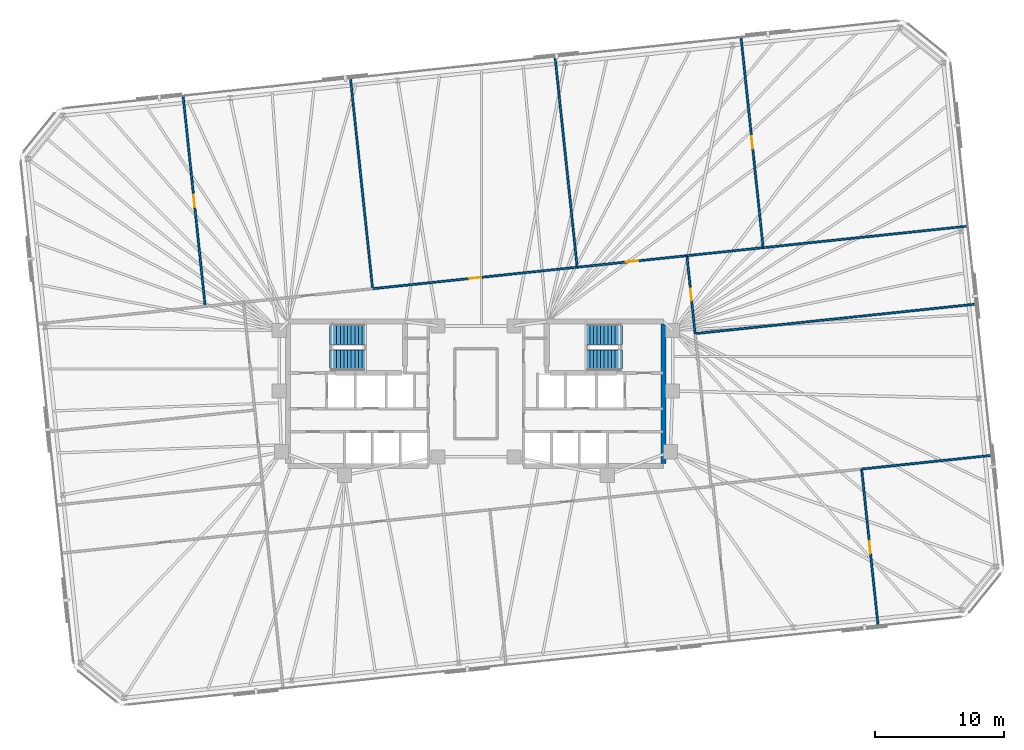
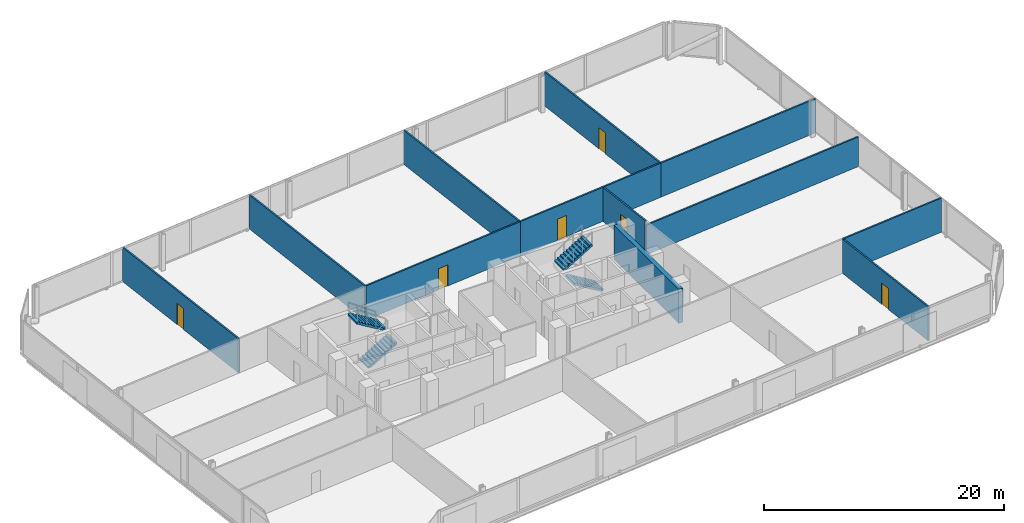
# One storey, part 16 of 18: 13 walls, 6 doors, 4 stair flights, 6 openings, 2 elements without a shape of their own.
"""IFC4 building model written with IfcOpenShell, lengths in metres."""

from ifc_helpers import new_model, si_unit, direction, frame, frame_2d, origin, place, context, subcontext, project, spatial, polyline, rectangle, outline, extrude, material, layer, layer_set, type_object, element, fill, aggregate, save


model = new_model("IFC4")

# Units and contexts
model_context = context("Model", 3, precision=1e-05, world=origin(), true_north=direction((0.0, 1.0)))
body_context = subcontext(model_context, "Body", "Model", "MODEL_VIEW")
ifc_project = project(units=[si_unit("LENGTHUNIT", "METRE"), si_unit("AREAUNIT", "SQUARE_METRE"), si_unit("VOLUMEUNIT", "CUBIC_METRE"), si_unit("PLANEANGLEUNIT", "RADIAN"), si_unit("MASSUNIT", "GRAM", prefix="KILO")], contexts=[model_context])

# Site, building, storey
site_placement = place(None, origin())
site = spatial("IfcSite", under=ifc_project, at=site_placement, CompositionType="ELEMENT")
building_placement = place(site_placement, origin())
building = spatial("IfcBuilding", under=site, at=building_placement, Name="Menara Jurai Vektor", CompositionType="ELEMENT")
storey_placement = place(building_placement, frame((0.0, 0.0, 94.800048828125)))
storey = spatial("IfcBuildingStorey", under=building, at=storey_placement, Name="L23", CompositionType="ELEMENT", Elevation=94.800048828125)

# Wall, opening, door
ifc_material_1 = material(Name="Gypsum Fireboard Partition", Category="gypsum")
ifc_layer_1 = layer(ifc_material_1, 0.14990234375)
ifc_layer_set_1 = layer_set([ifc_layer_1], Name="Gypsum Fireboard Partition")
wall_type_1 = type_object("IfcWallType", Name="INT-WALL-CORR-150", PredefinedType="PARTITIONING", material=ifc_layer_set_1)
wall_1_placement = place(storey_placement, frame((-8.009521484375, 8.142578125, 0.0), z_axis=(0.0, 0.0, 1.0), x_axis=(0.994521795881, 0.104529409818, 0.0)))
wall_1 = element("IfcWall", 1, at=wall_1_placement, inside=storey, type_object=wall_type_1, Name="Interior Wall IW-150 L23", PredefinedType="PARTITIONING", context=body_context, shape_type="SweptSolid", body=[
    extrude(rectangle(XDim=15.949951171875, YDim=0.14990234375, at=frame_2d((7.97509765625, 0.0))), origin(), (0.0, 0.0, 1.0), 3.474853515625),
])
opening_1_placement = place(wall_1_placement, frame((7.5, 0.0, 0.0)))
opening_1 = element("IfcOpeningElement", 2, at=opening_1_placement, cuts=wall_1, Name="Opening D23-08", PredefinedType="OPENING", context=body_context, shape_type="SweptSolid", body=[
    extrude(rectangle(XDim=0.949951171875, YDim=2.14990234375, at=frame_2d((0.47509765625, 1.074951171875))), frame((0.0, 0.0849609375, 0.0), z_axis=(0.0, -1.0, 0.0), x_axis=(1.0, 0.0, 0.0)), (0.0, 0.0, 1.0), 0.169921875),
])
ifc_material_2 = material(Name="Solid Core Timber Fire Door", Category="wood")
door_type = type_object("IfcDoorType", Name="DR-ENTRY-950", OperationType="NOTDEFINED", PredefinedType="DOOR", material=ifc_material_2)
door_1_placement = place(opening_1_placement, origin())
door_1 = element("IfcDoor", 3, at=door_1_placement, inside=storey, type_object=door_type, Name="Interior Door D23-08", OperationType="SINGLE_SWING_LEFT", OverallHeight=2.14990234375, OverallWidth=0.949951171875, PredefinedType="DOOR", context=body_context, shape_type="SweptSolid", body=[
    extrude(rectangle(XDim=0.949951171875, YDim=2.14990234375, at=frame_2d((0.47509765625, 1.074951171875))), frame((0.0, 0.02490234375, 0.0), z_axis=(0.0, -1.0, 0.0), x_axis=(1.0, 0.0, 0.0)), (0.0, 0.0, 1.0), 0.050048828125),
])
fill(opening_1, door_1)

wall_2_placement = place(storey_placement, frame((7.85302734375, 9.809814453125, 0.0), z_axis=(0.0, 0.0, 1.0), x_axis=(0.994524040814, 0.104508048698, 0.0)))
wall_2 = element("IfcWall", 4, at=wall_2_placement, inside=storey, type_object=wall_type_1, Name="Interior Wall IW-150 L23", PredefinedType="PARTITIONING", context=body_context, shape_type="SweptSolid", body=[
    extrude(rectangle(XDim=8.55712890625, YDim=0.14990234375, at=frame_2d((4.278564453125, 0.0))), origin(), (0.0, 0.0, 1.0), 3.474853515625),
])
opening_2_placement = place(wall_2_placement, frame((3.803466796875, 0.0, 0.0)))
opening_2 = element("IfcOpeningElement", 5, at=opening_2_placement, cuts=wall_2, Name="Opening D23-09", PredefinedType="OPENING", context=body_context, shape_type="SweptSolid", body=[
    extrude(rectangle(XDim=0.949951171875, YDim=2.14990234375, at=frame_2d((0.47509765625, 1.074951171875))), frame((0.0, 0.0849609375, 0.0), z_axis=(0.0, -1.0, 0.0), x_axis=(1.0, 0.0, 0.0)), (0.0, 0.0, 1.0), 0.169921875),
])
door_2_placement = place(opening_2_placement, origin())
door_2 = element("IfcDoor", 6, at=door_2_placement, inside=storey, type_object=door_type, Name="Interior Door D23-09", OperationType="SINGLE_SWING_RIGHT", OverallHeight=2.14990234375, OverallWidth=0.949951171875, PredefinedType="DOOR", context=body_context, shape_type="SweptSolid", body=[
    extrude(rectangle(XDim=0.949951171875, YDim=2.14990234375, at=frame_2d((0.47509765625, 1.074951171875))), frame((0.0, 0.02490234375, 0.0), z_axis=(0.0, -1.0, 0.0), x_axis=(1.0, 0.0, 0.0)), (0.0, 0.0, 1.0), 0.050048828125),
])
fill(opening_2, door_2)

wall_3_placement = place(storey_placement, frame((16.998291015625, 4.66162109375, 0.0), z_axis=(0.0, 0.0, 1.0), x_axis=(-0.104515354875, 0.994523273029, 0.0)))
wall_3 = element("IfcWall", 7, at=wall_3_placement, inside=storey, type_object=wall_type_1, Name="Interior Wall IW-150 L23", PredefinedType="PARTITIONING", context=body_context, shape_type="SweptSolid", body=[
    extrude(rectangle(XDim=6.07568359375, YDim=0.14990234375, at=frame_2d((3.037841796875, 0.0))), origin(), (0.0, 0.0, 1.0), 3.474853515625),
])
opening_3_placement = place(wall_3_placement, frame((2.56298828125, 0.0, 0.0)))
opening_3 = element("IfcOpeningElement", 8, at=opening_3_placement, cuts=wall_3, Name="Opening D23-16", PredefinedType="OPENING", context=body_context, shape_type="SweptSolid", body=[
    extrude(rectangle(XDim=0.949951171875, YDim=2.14990234375, at=frame_2d((0.47509765625, 1.074951171875))), frame((0.0, 0.0849609375, 0.0), z_axis=(0.0, -1.0, 0.0), x_axis=(1.0, 0.0, 0.0)), (0.0, 0.0, 1.0), 0.169921875),
])
door_3_placement = place(opening_3_placement, origin())
door_3 = element("IfcDoor", 9, at=door_3_placement, inside=storey, type_object=door_type, Name="Interior Door D23-16", OperationType="SINGLE_SWING_LEFT", OverallHeight=2.14990234375, OverallWidth=0.949951171875, PredefinedType="DOOR", context=body_context, shape_type="SweptSolid", body=[
    extrude(rectangle(XDim=0.949951171875, YDim=2.14990234375, at=frame_2d((0.47509765625, 1.074951171875))), frame((0.0, 0.02490234375, 0.0), z_axis=(0.0, -1.0, 0.0), x_axis=(1.0, 0.0, 0.0)), (0.0, 0.0, 1.0), 0.050048828125),
])
fill(opening_3, door_3)

wall_4_placement = place(storey_placement, frame((-20.988037109375, 6.778564453125, 0.0), z_axis=(0.0, 0.0, 1.0), x_axis=(-0.104521364336, 0.99452264147, 0.0)))
wall_4 = element("IfcWall", 10, at=wall_4_placement, inside=storey, type_object=wall_type_1, Name="Interior Wall IW-150 L23", PredefinedType="PARTITIONING", context=body_context, shape_type="SweptSolid", body=[
    extrude(rectangle(XDim=16.408935546875, YDim=0.14990234375, at=frame_2d((8.20458984375, 0.0))), origin(), (0.0, 0.0, 1.0), 3.474853515625),
])
opening_4_placement = place(wall_4_placement, frame((7.7294921875, 0.0, 0.0)))
opening_4 = element("IfcOpeningElement", 11, at=opening_4_placement, cuts=wall_4, Name="Opening D23-17", PredefinedType="OPENING", context=body_context, shape_type="SweptSolid", body=[
    extrude(rectangle(XDim=0.949951171875, YDim=2.14990234375, at=frame_2d((0.47509765625, 1.074951171875))), frame((0.0, 0.0849609375, 0.0), z_axis=(0.0, -1.0, 0.0), x_axis=(1.0, 0.0, 0.0)), (0.0, 0.0, 1.0), 0.169921875),
])
door_4_placement = place(opening_4_placement, origin())
door_4 = element("IfcDoor", 12, at=door_4_placement, inside=storey, type_object=door_type, Name="Interior Door D23-17", OperationType="SINGLE_SWING_RIGHT", OverallHeight=2.14990234375, OverallWidth=0.949951171875, PredefinedType="DOOR", context=body_context, shape_type="SweptSolid", body=[
    extrude(rectangle(XDim=0.949951171875, YDim=2.14990234375, at=frame_2d((0.47509765625, 1.074951171875))), frame((0.0, 0.02490234375, 0.0), z_axis=(0.0, -1.0, 0.0), x_axis=(1.0, 0.0, 0.0)), (0.0, 0.0, 1.0), 0.050048828125),
])
fill(opening_4, door_4)

# Walls
for number, where, z_axis, x_axis, name in (
    (13, (-8.009521484375, 8.142578125, 0.0), (0.0, 0.0, 1.0), (-0.104521364336, 0.99452264147, 0.0), "Interior Wall IW-150 L23"),
    (14, (7.85302734375, 9.809814453125, 0.0), (0.0, 0.0, 1.0), (-0.104521364336, 0.99452264147, 0.0), "Interior Wall IW-150 L23"),
):
    element("IfcWall", number, at=place(storey_placement, frame(where, z_axis=z_axis, x_axis=x_axis)), inside=storey, type_object=wall_type_1, Name=name, PredefinedType="PARTITIONING", context=body_context, shape_type="SweptSolid", body=[
        extrude(rectangle(XDim=16.408935546875, YDim=0.14990234375, at=frame_2d((8.20458984375, 0.0))), origin(), (0.0, 0.0, 1.0), 3.474853515625),
    ])

# Wall, opening, door
wall_5_placement = place(storey_placement, frame((22.273681640625, 11.325439453125, 0.0), z_axis=(0.0, 0.0, 1.0), x_axis=(-0.104521364336, 0.99452264147, 0.0)))
wall_5 = element("IfcWall", 15, at=wall_5_placement, inside=storey, type_object=wall_type_1, Name="Interior Wall IW-150 L23", PredefinedType="PARTITIONING", context=body_context, shape_type="SweptSolid", body=[
    extrude(rectangle(XDim=16.408935546875, YDim=0.14990234375, at=frame_2d((8.20458984375, 0.0))), origin(), (0.0, 0.0, 1.0), 3.474853515625),
])
opening_5_placement = place(wall_5_placement, frame((7.7294921875, 0.0, 0.0)))
opening_5 = element("IfcOpeningElement", 16, at=opening_5_placement, cuts=wall_5, Name="Opening D23-18", PredefinedType="OPENING", context=body_context, shape_type="SweptSolid", body=[
    extrude(rectangle(XDim=0.949951171875, YDim=2.14990234375, at=frame_2d((0.47509765625, 1.074951171875))), frame((0.0, 0.0849609375, 0.0), z_axis=(0.0, -1.0, 0.0), x_axis=(1.0, 0.0, 0.0)), (0.0, 0.0, 1.0), 0.169921875),
])
door_5_placement = place(opening_5_placement, origin())
door_5 = element("IfcDoor", 17, at=door_5_placement, inside=storey, type_object=door_type, Name="Interior Door D23-18", OperationType="SINGLE_SWING_LEFT", OverallHeight=2.14990234375, OverallWidth=0.949951171875, PredefinedType="DOOR", context=body_context, shape_type="SweptSolid", body=[
    extrude(rectangle(XDim=0.949951171875, YDim=2.14990234375, at=frame_2d((0.47509765625, 1.074951171875))), frame((0.0, 0.02490234375, 0.0), z_axis=(0.0, -1.0, 0.0), x_axis=(1.0, 0.0, 0.0)), (0.0, 0.0, 1.0), 0.050048828125),
])
fill(opening_5, door_5)

# Walls
wall_6_placement = place(storey_placement, frame((16.36328125, 10.7041015625, 0.0), z_axis=(0.0, 0.0, 1.0), x_axis=(0.994519625036, 0.104550061783, 0.0)))
element("IfcWall", 18, at=wall_6_placement, inside=storey, type_object=wall_type_1, Name="Interior Wall IW-150 L23", PredefinedType="PARTITIONING", context=body_context, shape_type="SweptSolid", body=[
    extrude(rectangle(XDim=5.94287109375, YDim=0.14990234375, at=frame_2d((2.971435546875, 0.0))), origin(), (0.0, 0.0, 1.0), 3.474853515625),
])
wall_7_placement = place(storey_placement, frame((22.273681640625, 11.325439453125, 0.0), z_axis=(0.0, 0.0, 1.0), x_axis=(0.994521795881, 0.104529409818, 0.0)))
element("IfcWall", 19, at=wall_7_placement, inside=storey, type_object=wall_type_1, Name="Interior Wall IW-150 L23", PredefinedType="PARTITIONING", context=body_context, shape_type="SweptSolid", body=[
    extrude(rectangle(XDim=15.949951171875, YDim=0.14990234375, at=frame_2d((7.97509765625, 0.0))), origin(), (0.0, 0.0, 1.0), 3.474853515625),
])

# Wall, opening, door
wall_8_placement = place(storey_placement, frame((31.187255859375, -17.994384765625, 0.0), z_axis=(0.0, 0.0, 1.0), x_axis=(-0.104520477826, 0.99452273464, 0.0)))
wall_8 = element("IfcWall", 20, at=wall_8_placement, inside=storey, type_object=wall_type_1, Name="Interior Wall IW-150 L23", PredefinedType="PARTITIONING", context=body_context, shape_type="SweptSolid", body=[
    extrude(rectangle(XDim=12.220947265625, YDim=0.14990234375, at=frame_2d((6.1103515625, 0.0))), origin(), (0.0, 0.0, 1.0), 3.474853515625),
])
opening_6_placement = place(wall_8_placement, frame((5.635498046875, 0.0, 0.0)))
opening_6 = element("IfcOpeningElement", 21, at=opening_6_placement, cuts=wall_8, Name="Opening D23-21", PredefinedType="OPENING", context=body_context, shape_type="SweptSolid", body=[
    extrude(rectangle(XDim=0.949951171875, YDim=2.14990234375, at=frame_2d((0.47509765625, 1.074951171875))), frame((0.0, 0.0849609375, 0.0), z_axis=(0.0, -1.0, 0.0), x_axis=(1.0, 0.0, 0.0)), (0.0, 0.0, 1.0), 0.169921875),
])
door_6_placement = place(opening_6_placement, origin())
door_6 = element("IfcDoor", 22, at=door_6_placement, inside=storey, type_object=door_type, Name="Interior Door D23-21", OperationType="SINGLE_SWING_RIGHT", OverallHeight=2.14990234375, OverallWidth=0.949951171875, PredefinedType="DOOR", context=body_context, shape_type="SweptSolid", body=[
    extrude(rectangle(XDim=0.949951171875, YDim=2.14990234375, at=frame_2d((0.47509765625, 1.074951171875))), frame((0.0, 0.02490234375, 0.0), z_axis=(0.0, -1.0, 0.0), x_axis=(1.0, 0.0, 0.0)), (0.0, 0.0, 1.0), 0.050048828125),
])
fill(opening_6, door_6)

# Walls
wall_9_placement = place(storey_placement, frame((29.909912109375, -5.84033203125, 0.0), z_axis=(0.0, 0.0, 1.0), x_axis=(0.994521257273, 0.104534534165, 0.0)))
element("IfcWall", 23, at=wall_9_placement, inside=storey, type_object=wall_type_1, Name="Interior Wall IW-150 L23", PredefinedType="PARTITIONING", context=body_context, shape_type="SweptSolid", body=[
    extrude(rectangle(XDim=10.150146484375, YDim=0.14990234375, at=frame_2d((5.0751953125, 0.0))), origin(), (0.0, 0.0, 1.0), 3.474853515625),
])
ifc_layer_2 = layer(ifc_material_1, 0.14990234375)
ifc_layer_set_2 = layer_set([ifc_layer_2], Name="Gypsum Fireboard Partition")
wall_type_2 = type_object("IfcWallType", Name="INT-WALL-CORR-150-H1", PredefinedType="PARTITIONING", material=ifc_layer_set_2)
wall_10_placement = place(storey_placement, frame((16.998291015625, 4.66162109375, 0.0), z_axis=(0.0, 0.0, 1.0), x_axis=(0.994522487751, 0.10452282697, 0.0)))
element("IfcWall", 24, at=wall_10_placement, inside=storey, type_object=wall_type_2, Name="Interior Wall IW-150 L23", PredefinedType="PARTITIONING", context=body_context, shape_type="SweptSolid", body=[
    extrude(rectangle(XDim=21.89306640625, YDim=0.14990234375, at=frame_2d((10.946533203125, 0.0))), origin(), (0.0, 0.0, 1.0), 3.02490234375),
])
ifc_material_3 = material(Name="Concrete C50/60", Category="concrete")
ifc_layer_3 = layer(ifc_material_3, 0.39990234375)
ifc_layer_set_3 = layer_set([ifc_layer_3], Name="Concrete C50/60")
wall_type_3 = type_object("IfcWallType", Name="STR-WALL-CORE400", PredefinedType="SHEAR", material=ifc_layer_set_3)
wall_11_placement = place(storey_placement, frame((14.56005859375, -5.39990234375, 0.0), z_axis=(0.0, 0.0, 1.0), x_axis=(0.0, 1.0, 0.0)))
element("IfcWall", 25, at=wall_11_placement, inside=storey, type_object=wall_type_3, Name="Core Shear Wall CW-E-E L23", PredefinedType="SHEAR", context=body_context, shape_type="SweptSolid", body=[
    extrude(rectangle(XDim=10.7998046875, YDim=0.39990234375, at=frame_2d((5.39990234375, 0.0))), origin(), (0.0, 0.0, 1.0), 3.474853515625),
])

# Stair, stair flights
ifc_material_4 = material(Name="Concrete C40/50", Category="concrete")
stair_type = type_object("IfcStairType", Name="STAIR-DOGLEG-1500", PredefinedType="HALF_TURN_STAIR", material=ifc_material_4)
stair_1_placement = place(storey_placement, origin())
stair_1 = element("IfcStair", 26, at=stair_1_placement, inside=storey, type_object=stair_type, Name="Protected Exit Stair ST1 L23", PredefinedType="HALF_TURN_STAIR")
stair_flight_type = type_object("IfcStairFlightType", Name="STAIR-FLIGHT-1500", PredefinedType="STRAIGHT", material=ifc_material_4)
stair_flight_1_placement = place(storey_placement, frame((-11.35009765625, 2.64990234375, 0.0), z_axis=(0.0, 0.0, 1.0), x_axis=(1.0, 0.0, 0.0)))
stair_flight_1 = element("IfcStairFlight", 27, at=stair_flight_1_placement, type_object=stair_flight_type, Name="ST1 flight 1", NumberOfRisers=11, NumberOfTreads=10, PredefinedType="STRAIGHT", RiserHeight=0.168182, TreadLength=0.28, context=body_context, shape_type="SweptSolid", body=[
    extrude(outline(polyline([(0.0, 0.0), (0.0, 0.168212890625), (0.280029296875, 0.168212890625), (0.280029296875, 0.33642578125), (0.56005859375, 0.33642578125), (0.56005859375, 0.504638671875), (0.840087890625, 0.504638671875), (0.840087890625, 0.672607421875), (1.1201171875, 0.672607421875), (1.1201171875, 0.8408203125), (1.39990234375, 0.8408203125), (1.39990234375, 1.009033203125), (1.679931640625, 1.009033203125), (1.679931640625, 1.17724609375), (1.9599609375, 1.17724609375), (1.9599609375, 1.345458984375), (2.239990234375, 1.345458984375), (2.239990234375, 1.513671875), (2.52001953125, 1.513671875), (2.52001953125, 1.681884765625), (2.800048828125, 1.681884765625), (2.800048828125, 1.85009765625), (2.800048828125, 1.495361328125), (0.310546875, 0.0), (0.0, 0.0)])), frame((0.0, 0.75, 0.0), z_axis=(0.0, -1.0, 0.0), x_axis=(1.0, 0.0, 0.0)), (0.0, 0.0, 1.0), 1.5),
])
stair_flight_2_placement = place(storey_placement, frame((-8.550048828125, 4.550048828125, 1.849853515625), z_axis=(0.0, 0.0, 1.0), x_axis=(-1.0, 0.0, 0.0)))
stair_flight_2 = element("IfcStairFlight", 28, at=stair_flight_2_placement, type_object=stair_flight_type, Name="ST1 flight 2", NumberOfRisers=11, NumberOfTreads=10, PredefinedType="STRAIGHT", RiserHeight=0.168182, TreadLength=0.28, context=body_context, shape_type="SweptSolid", body=[
    extrude(outline(polyline([(0.0, 0.0), (0.0, 0.168212890625), (0.280029296875, 0.168212890625), (0.280029296875, 0.33642578125), (0.56005859375, 0.33642578125), (0.56005859375, 0.504638671875), (0.840087890625, 0.504638671875), (0.840087890625, 0.672607421875), (1.1201171875, 0.672607421875), (1.1201171875, 0.8408203125), (1.39990234375, 0.8408203125), (1.39990234375, 1.009033203125), (1.679931640625, 1.009033203125), (1.679931640625, 1.17724609375), (1.9599609375, 1.17724609375), (1.9599609375, 1.345458984375), (2.239990234375, 1.345458984375), (2.239990234375, 1.513671875), (2.52001953125, 1.513671875), (2.52001953125, 1.681884765625), (2.800048828125, 1.681884765625), (2.800048828125, 1.85009765625), (2.800048828125, 1.495361328125), (0.310546875, 0.0), (0.0, 0.0)])), frame((0.0, 0.75, 0.0), z_axis=(0.0, -1.0, 0.0), x_axis=(1.0, 0.0, 0.0)), (0.0, 0.0, 1.0), 1.5),
])
aggregate(stair_1, [stair_flight_1, stair_flight_2])

stair_2_placement = place(storey_placement, origin())
stair_2 = element("IfcStair", 29, at=stair_2_placement, inside=storey, type_object=stair_type, Name="Protected Exit Stair ST2 L23", PredefinedType="HALF_TURN_STAIR")
stair_flight_3_placement = place(storey_placement, frame((11.35009765625, 2.64990234375, 0.0), z_axis=(0.0, 0.0, 1.0), x_axis=(-1.0, 0.0, 0.0)))
stair_flight_3 = element("IfcStairFlight", 30, at=stair_flight_3_placement, type_object=stair_flight_type, Name="ST2 flight 1", NumberOfRisers=11, NumberOfTreads=10, PredefinedType="STRAIGHT", RiserHeight=0.168182, TreadLength=0.28, context=body_context, shape_type="SweptSolid", body=[
    extrude(outline(polyline([(0.0, 0.0), (0.0, 0.168212890625), (0.280029296875, 0.168212890625), (0.280029296875, 0.33642578125), (0.56005859375, 0.33642578125), (0.56005859375, 0.504638671875), (0.840087890625, 0.504638671875), (0.840087890625, 0.672607421875), (1.1201171875, 0.672607421875), (1.1201171875, 0.8408203125), (1.39990234375, 0.8408203125), (1.39990234375, 1.009033203125), (1.679931640625, 1.009033203125), (1.679931640625, 1.17724609375), (1.9599609375, 1.17724609375), (1.9599609375, 1.345458984375), (2.239990234375, 1.345458984375), (2.239990234375, 1.513671875), (2.52001953125, 1.513671875), (2.52001953125, 1.681884765625), (2.800048828125, 1.681884765625), (2.800048828125, 1.85009765625), (2.800048828125, 1.495361328125), (0.310546875, 0.0), (0.0, 0.0)])), frame((0.0, 0.75, 0.0), z_axis=(0.0, -1.0, 0.0), x_axis=(1.0, 0.0, 0.0)), (0.0, 0.0, 1.0), 1.5),
])
stair_flight_4_placement = place(storey_placement, frame((8.550048828125, 4.550048828125, 1.849853515625), z_axis=(0.0, 0.0, 1.0), x_axis=(1.0, 0.0, 0.0)))
stair_flight_4 = element("IfcStairFlight", 31, at=stair_flight_4_placement, type_object=stair_flight_type, Name="ST2 flight 2", NumberOfRisers=11, NumberOfTreads=10, PredefinedType="STRAIGHT", RiserHeight=0.168182, TreadLength=0.28, context=body_context, shape_type="SweptSolid", body=[
    extrude(outline(polyline([(0.0, 0.0), (0.0, 0.168212890625), (0.280029296875, 0.168212890625), (0.280029296875, 0.33642578125), (0.56005859375, 0.33642578125), (0.56005859375, 0.504638671875), (0.840087890625, 0.504638671875), (0.840087890625, 0.672607421875), (1.1201171875, 0.672607421875), (1.1201171875, 0.8408203125), (1.39990234375, 0.8408203125), (1.39990234375, 1.009033203125), (1.679931640625, 1.009033203125), (1.679931640625, 1.17724609375), (1.9599609375, 1.17724609375), (1.9599609375, 1.345458984375), (2.239990234375, 1.345458984375), (2.239990234375, 1.513671875), (2.52001953125, 1.513671875), (2.52001953125, 1.681884765625), (2.800048828125, 1.681884765625), (2.800048828125, 1.85009765625), (2.800048828125, 1.495361328125), (0.310546875, 0.0), (0.0, 0.0)])), frame((0.0, 0.75, 0.0), z_axis=(0.0, -1.0, 0.0), x_axis=(1.0, 0.0, 0.0)), (0.0, 0.0, 1.0), 1.5),
])
aggregate(stair_2, [stair_flight_3, stair_flight_4])

save(model, "model.ifc")
